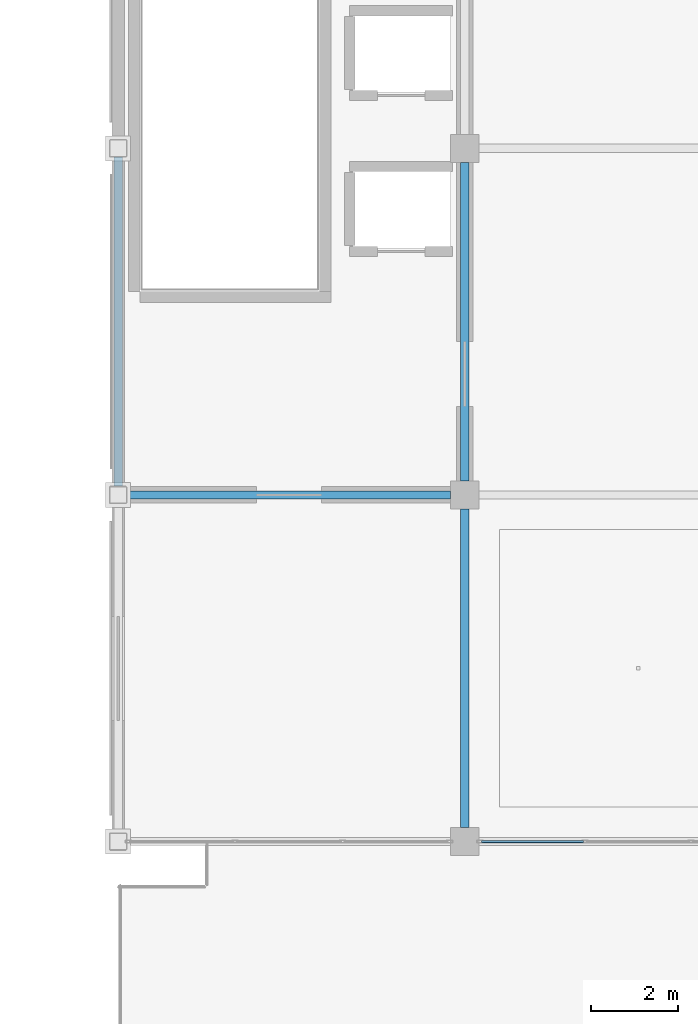
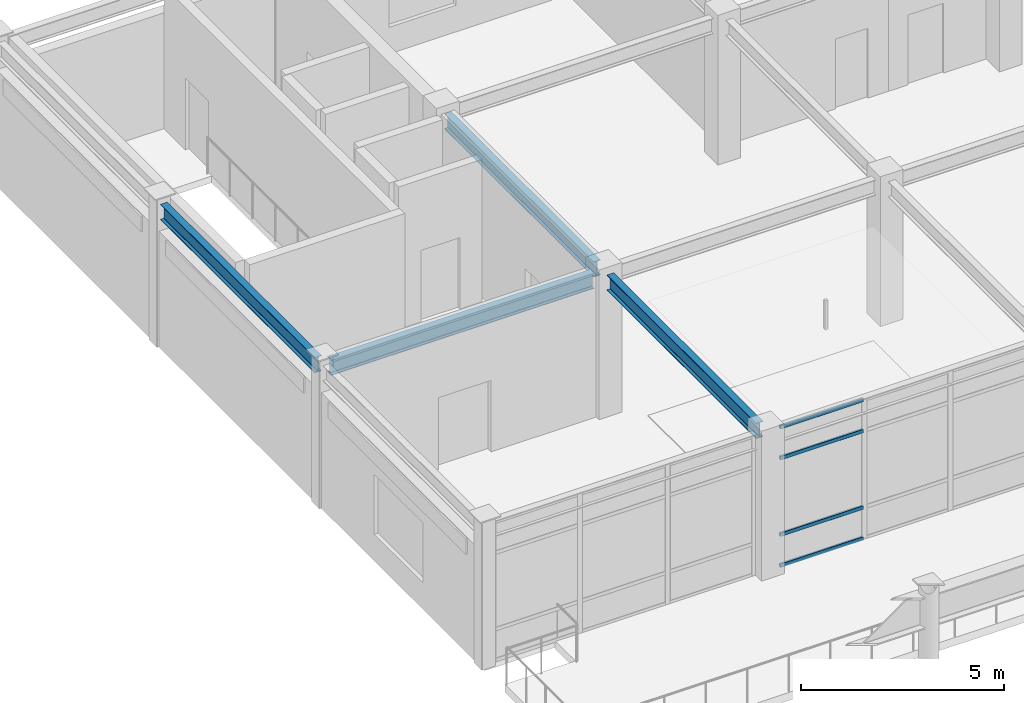
# One storey, part 39 of 78: 4 beams, 4 members, 1 element without a shape of its own.
"""IFC4 building model written with IfcOpenShell, lengths in metres."""

from ifc_helpers import new_model, si_unit, direction, frame, origin, origin_2d, place, context, subcontext, project, spatial, hollow_rectangle, i_section, extrude, material, material_profile, profile_set, type_object, element, aggregate, save


model = new_model("IFC4")

# Units and contexts
model_context = context("Model", 3, precision=1e-05, world=origin(), true_north=direction((0.0, 1.0)))
body_context = subcontext(model_context, "Body", "Model", "MODEL_VIEW")
ifc_project = project(units=[si_unit("LENGTHUNIT", "METRE"), si_unit("AREAUNIT", "SQUARE_METRE"), si_unit("VOLUMEUNIT", "CUBIC_METRE"), si_unit("PLANEANGLEUNIT", "RADIAN"), si_unit("MASSUNIT", "GRAM", prefix="KILO")], contexts=[model_context])

# Site, building, storey
site_placement = place(None, origin())
site = spatial("IfcSite", under=ifc_project, at=site_placement, CompositionType="ELEMENT")
building_placement = place(site_placement, origin())
building = spatial("IfcBuilding", under=site, at=building_placement, Name="Solmirada Galleria", CompositionType="ELEMENT")
storey_placement = place(building_placement, frame((0.0, 0.0, 23.89990234375)))
storey = spatial("IfcBuildingStorey", under=building, at=storey_placement, Name="L05", CompositionType="ELEMENT", Elevation=23.89990234375)

# Beams
ifc_material_1 = material(Name="Steel S355 / ASTM A992 Grade 50", Category="steel")
ifc_material_profile_1 = material_profile(ifc_material_1, i_section(OverallWidth=0.193115234375, OverallDepth=0.466064453125, WebThickness=0.011474609375, FlangeThickness=0.01904296875, FilletRadius=0.013916015625, at=origin_2d()), Name="W18X65")
ifc_profile_set_1 = profile_set([ifc_material_profile_1], Name="Steel S355 / ASTM A992 Grade 50")
beam_type = type_object("IfcBeamType", Name="BM-GIRD-W18C", PredefinedType="BEAM", material=ifc_profile_set_1)
beam_1_placement = place(storey_placement, frame((40.202880859375, 104.0, 4.0400390625), z_axis=(1.0, 0.0, 0.0), x_axis=(0.0, 1.0, 0.0)))
element("IfcBeam", 1, at=beam_1_placement, inside=storey, type_object=beam_type, Name="North roof girder X=40..48", PredefinedType="BEAM", context=body_context, shape_type="SweptSolid", body=[
    extrude(i_section(OverallWidth=0.193115234375, OverallDepth=0.466064453125, WebThickness=0.011474609375, FlangeThickness=0.01904296875, FilletRadius=0.013916015625, at=origin_2d()), origin(), (0.0, 0.0, 1.0), 7.47216796875),
])
beam_2_placement = place(storey_placement, frame((40.0, 104.202880859375, 4.0400390625), z_axis=(0.0, 1.0, 0.0), x_axis=(-1.0, 0.0, 0.0)))
element("IfcBeam", 2, at=beam_2_placement, inside=storey, type_object=beam_type, Name="North roof girder Y=104..112", PredefinedType="BEAM", context=body_context, shape_type="SweptSolid", body=[
    extrude(i_section(OverallWidth=0.193115234375, OverallDepth=0.466064453125, WebThickness=0.011474609375, FlangeThickness=0.01904296875, FilletRadius=0.013916015625, at=origin_2d()), origin(), (0.0, 0.0, 1.0), 7.59423828125),
])
for number, where, z_axis, x_axis, name in (
    (3, (48.0, 96.324951171875, 4.0400390625), (0.0, 1.0, 0.0), (-1.0, 0.0, 0.0), "North roof girder Y=96..104"),
    (4, (48.0, 104.324951171875, 4.0400390625), (0.0, 1.0, 0.0), (-1.0, 0.0, 0.0), "North roof girder Y=104..112"),
):
    element("IfcBeam", number, at=place(storey_placement, frame(where, z_axis=z_axis, x_axis=x_axis)), inside=storey, type_object=beam_type, Name=name, PredefinedType="BEAM", context=body_context, shape_type="SweptSolid", body=[
        extrude(i_section(OverallWidth=0.193115234375, OverallDepth=0.466064453125, WebThickness=0.011474609375, FlangeThickness=0.01904296875, FilletRadius=0.013916015625, at=origin_2d()), origin(), (0.0, 0.0, 1.0), 7.35009765625),
    ])

# Curtain wall, members
ifc_material_2 = material(Name="Impact-resistant low-E double glazing", Category="glass")
curtain_wall_type = type_object("IfcCurtainWallType", Name="CW-FZ4-L05-B3-L074", PredefinedType="NOTDEFINED", material=ifc_material_2)
curtain_wall_placement = place(storey_placement, origin())
curtain_wall = element("IfcCurtainWall", 5, at=curtain_wall_placement, inside=storey, type_object=curtain_wall_type, Name="Terrace and arcade storefront CW-L05-171", PredefinedType="NOTDEFINED")
ifc_material_3 = material(Name="Anodised aluminium framing", Category="aluminium")
ifc_material_profile_2 = material_profile(ifc_material_3, hollow_rectangle(XDim=0.06005859375, YDim=0.110107421875, WallThickness=0.003173828125, InnerFilletRadius=0.003173828125, OuterFilletRadius=0.00634765625, at=origin_2d()), Name="ALU-TRAN-110X60")
ifc_profile_set_2 = profile_set([ifc_material_profile_2], Name="Anodised aluminium framing")
member_type = type_object("IfcMemberType", Name="CW-TRAN-110", PredefinedType="USERDEFINED", material=ifc_profile_set_2)
member_1_placement = place(storey_placement, frame((50.74560546875, 96.0, 0.030029296875), z_axis=(-1.0, 0.0, 0.0), x_axis=(0.0, -1.0, 0.0)))
member_1 = element("IfcMember", 6, at=member_1_placement, type_object=member_type, Name="CW34 transom 3.1", ObjectType="TRANSOM", PredefinedType="USERDEFINED", context=body_context, shape_type="SweptSolid", body=[
    extrude(hollow_rectangle(XDim=0.06005859375, YDim=0.110107421875, WallThickness=0.003173828125, InnerFilletRadius=0.003173828125, OuterFilletRadius=0.00634765625, at=origin_2d()), origin(), (0.0, 0.0, 1.0), 2.358642578125),
])
member_2_placement = place(storey_placement, frame((50.74560546875, 96.0, 0.960205078125), z_axis=(-1.0, 0.0, 0.0), x_axis=(0.0, -1.0, 0.0)))
member_2 = element("IfcMember", 7, at=member_2_placement, type_object=member_type, Name="CW34 transom 3.2", ObjectType="TRANSOM", PredefinedType="USERDEFINED", context=body_context, shape_type="SweptSolid", body=[
    extrude(hollow_rectangle(XDim=0.06005859375, YDim=0.110107421875, WallThickness=0.003173828125, InnerFilletRadius=0.003173828125, OuterFilletRadius=0.00634765625, at=origin_2d()), origin(), (0.0, 0.0, 1.0), 2.358642578125),
])
member_3_placement = place(storey_placement, frame((50.74560546875, 96.0, 3.260009765625), z_axis=(-1.0, 0.0, 0.0), x_axis=(0.0, -1.0, 0.0)))
member_3 = element("IfcMember", 8, at=member_3_placement, type_object=member_type, Name="CW34 transom 3.3", ObjectType="TRANSOM", PredefinedType="USERDEFINED", context=body_context, shape_type="SweptSolid", body=[
    extrude(hollow_rectangle(XDim=0.06005859375, YDim=0.110107421875, WallThickness=0.003173828125, InnerFilletRadius=0.003173828125, OuterFilletRadius=0.00634765625, at=origin_2d()), origin(), (0.0, 0.0, 1.0), 2.358642578125),
])
member_4_placement = place(storey_placement, frame((50.74560546875, 96.0, 4.190185546875), z_axis=(-1.0, 0.0, 0.0), x_axis=(0.0, -1.0, 0.0)))
member_4 = element("IfcMember", 9, at=member_4_placement, type_object=member_type, Name="CW34 transom 3.4", ObjectType="TRANSOM", PredefinedType="USERDEFINED", context=body_context, shape_type="SweptSolid", body=[
    extrude(hollow_rectangle(XDim=0.06005859375, YDim=0.110107421875, WallThickness=0.003173828125, InnerFilletRadius=0.003173828125, OuterFilletRadius=0.00634765625, at=origin_2d()), origin(), (0.0, 0.0, 1.0), 2.358642578125),
])
aggregate(curtain_wall, [member_1, member_2, member_3, member_4])

save(model, "model.ifc")
